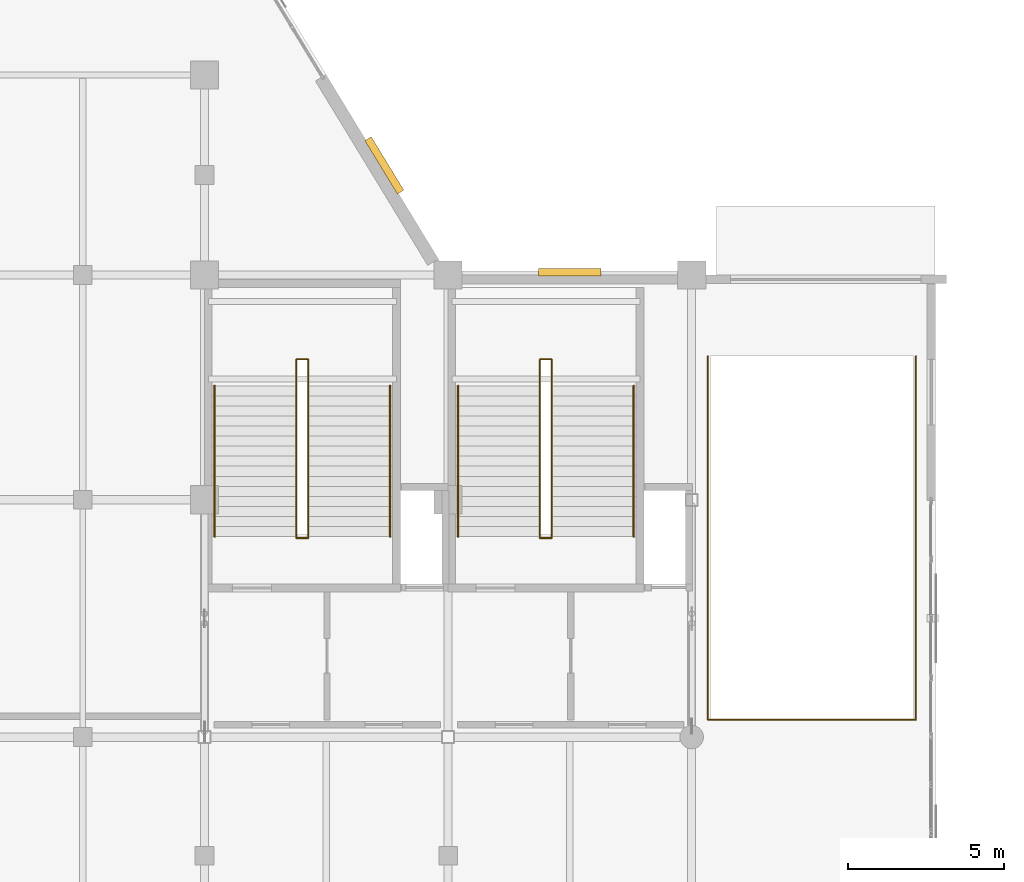
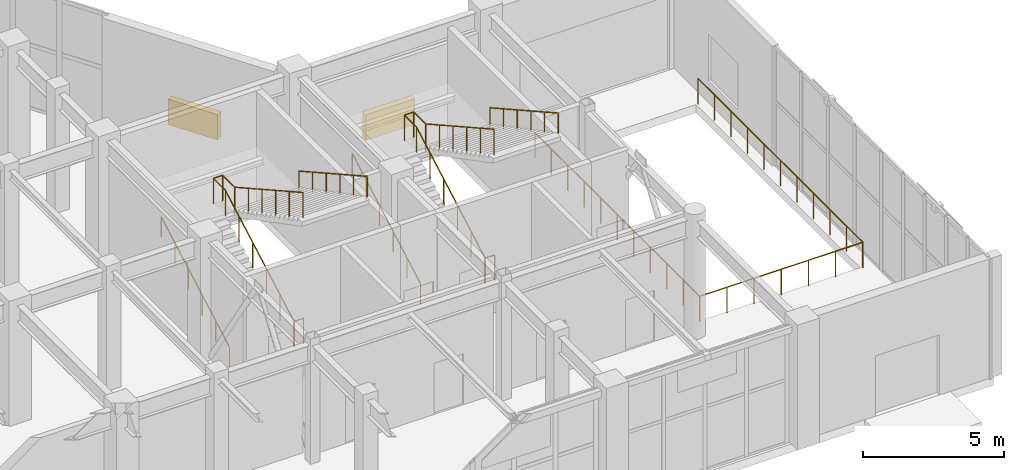
# One storey, part 139 of 139: 9 railings, 2 shading devices.
"""IFC4 building model written with IfcOpenShell, lengths in metres."""

from ifc_helpers import new_model, si_unit, direction, frame, origin, origin_2d, place, context, subcontext, project, spatial, rectangle, circle, extrude, material, type_object, element, save


model = new_model("IFC4")

# Units and contexts
model_context = context("Model", 3, precision=1e-05, world=origin(), true_north=direction((0.0, 1.0)))
body_context = subcontext(model_context, "Body", "Model", "MODEL_VIEW")
ifc_project = project(units=[si_unit("LENGTHUNIT", "METRE"), si_unit("AREAUNIT", "SQUARE_METRE"), si_unit("VOLUMEUNIT", "CUBIC_METRE"), si_unit("PLANEANGLEUNIT", "RADIAN"), si_unit("MASSUNIT", "GRAM", prefix="KILO")], contexts=[model_context])

# Site, building, storey
site_placement = place(None, origin())
site = spatial("IfcSite", under=ifc_project, at=site_placement, CompositionType="ELEMENT")
building_placement = place(site_placement, origin())
building = spatial("IfcBuilding", under=site, at=building_placement, Name="Xicomal Pleat Aquarium", CompositionType="ELEMENT")
storey_placement = place(building_placement, origin())
storey = spatial("IfcBuildingStorey", under=building, at=storey_placement, Name="L01", CompositionType="ELEMENT", Elevation=0.0)

# Railings
ifc_material_1 = material(Name="Brushed stainless steel 316L", Category="steel")
railing_type_1 = type_object("IfcRailingType", Name="RAL-HR-900", PredefinedType="HANDRAIL", material=ifc_material_1)
railing_1_placement = place(storey_placement, frame((141.919921875, 90.02001953125, 0.0)))
element("IfcRailing", 1, at=railing_1_placement, inside=storey, type_object=railing_type_1, Name="ST-05-L01 flight 1 handrail", PredefinedType="HANDRAIL", context=body_context, shape_type="SweptSolid", body=[
    extrude(circle(Radius=0.02392578125, at=origin_2d()), frame((0.0, 0.0, 0.8759765625), z_axis=(0.0, 0.872882689512, 0.487930128554), x_axis=(-1.0, 0.0, 0.0)), (0.0, 0.0, 1.0), 5.533447265625),
    extrude(circle(Radius=0.02099609375, at=origin_2d()), origin(), (0.0, 0.0, 1.0), 0.851806640625),
    extrude(circle(Radius=0.02099609375, at=origin_2d()), frame((0.0, 0.966064453125, 0.5400390625)), (0.0, 0.0, 1.0), 0.851806640625),
    extrude(circle(Radius=0.02099609375, at=origin_2d()), frame((0.0, 1.93212890625, 1.080078125)), (0.0, 0.0, 1.0), 0.851806640625),
    extrude(circle(Radius=0.02099609375, at=origin_2d()), frame((0.0, 2.89794921875, 1.619873046875)), (0.0, 0.0, 1.0), 0.851806640625),
    extrude(circle(Radius=0.02099609375, at=origin_2d()), frame((0.0, 3.864013671875, 2.159912109375)), (0.0, 0.0, 1.0), 0.851806640625),
    extrude(circle(Radius=0.02099609375, at=origin_2d()), frame((0.0, 4.830078125, 2.699951171875)), (0.0, 0.0, 1.0), 0.851806640625),
])
railing_2_placement = place(storey_placement, frame((147.5400390625, 94.85009765625, 2.699951171875)))
element("IfcRailing", 2, at=railing_2_placement, inside=storey, type_object=railing_type_1, Name="ST-05-L01 flight 2 handrail", PredefinedType="HANDRAIL", context=body_context, shape_type="SweptSolid", body=[
    extrude(circle(Radius=0.02392578125, at=origin_2d()), frame((0.0, 0.0, 0.8759765625), z_axis=(0.0, -0.872882689512, 0.487930128554), x_axis=(1.0, 0.0, 0.0)), (0.0, 0.0, 1.0), 5.533447265625),
    extrude(circle(Radius=0.02099609375, at=origin_2d()), origin(), (0.0, 0.0, 1.0), 0.851806640625),
    extrude(circle(Radius=0.02099609375, at=origin_2d()), frame((0.0, -0.966064453125, 0.5400390625)), (0.0, 0.0, 1.0), 0.851806640625),
    extrude(circle(Radius=0.02099609375, at=origin_2d()), frame((0.0, -1.93212890625, 1.080078125)), (0.0, 0.0, 1.0), 0.851806640625),
    extrude(circle(Radius=0.02099609375, at=origin_2d()), frame((0.0, -2.89794921875, 1.619873046875)), (0.0, 0.0, 1.0), 0.851806640625),
    extrude(circle(Radius=0.02099609375, at=origin_2d()), frame((0.0, -3.864013671875, 2.159912109375)), (0.0, 0.0, 1.0), 0.851806640625),
    extrude(circle(Radius=0.02099609375, at=origin_2d()), frame((0.0, -4.830078125, 2.699951171875)), (0.0, 0.0, 1.0), 0.851806640625),
])
railing_3_placement = place(storey_placement, frame((149.719970703125, 90.02001953125, 0.0)))
element("IfcRailing", 3, at=railing_3_placement, inside=storey, type_object=railing_type_1, Name="ST-06-L01 flight 1 handrail", PredefinedType="HANDRAIL", context=body_context, shape_type="SweptSolid", body=[
    extrude(circle(Radius=0.02392578125, at=origin_2d()), frame((0.0, 0.0, 0.8759765625), z_axis=(0.0, 0.872882689512, 0.487930128554), x_axis=(-1.0, 0.0, 0.0)), (0.0, 0.0, 1.0), 5.533447265625),
    extrude(circle(Radius=0.02099609375, at=origin_2d()), origin(), (0.0, 0.0, 1.0), 0.851806640625),
    extrude(circle(Radius=0.02099609375, at=origin_2d()), frame((0.0, 0.966064453125, 0.5400390625)), (0.0, 0.0, 1.0), 0.851806640625),
    extrude(circle(Radius=0.02099609375, at=origin_2d()), frame((0.0, 1.93212890625, 1.080078125)), (0.0, 0.0, 1.0), 0.851806640625),
    extrude(circle(Radius=0.02099609375, at=origin_2d()), frame((0.0, 2.89794921875, 1.619873046875)), (0.0, 0.0, 1.0), 0.851806640625),
    extrude(circle(Radius=0.02099609375, at=origin_2d()), frame((0.0, 3.864013671875, 2.159912109375)), (0.0, 0.0, 1.0), 0.851806640625),
    extrude(circle(Radius=0.02099609375, at=origin_2d()), frame((0.0, 4.830078125, 2.699951171875)), (0.0, 0.0, 1.0), 0.851806640625),
])
railing_4_placement = place(storey_placement, frame((155.340087890625, 94.85009765625, 2.699951171875)))
element("IfcRailing", 4, at=railing_4_placement, inside=storey, type_object=railing_type_1, Name="ST-06-L01 flight 2 handrail", PredefinedType="HANDRAIL", context=body_context, shape_type="SweptSolid", body=[
    extrude(circle(Radius=0.02392578125, at=origin_2d()), frame((0.0, 0.0, 0.8759765625), z_axis=(0.0, -0.872882689512, 0.487930128554), x_axis=(1.0, 0.0, 0.0)), (0.0, 0.0, 1.0), 5.533447265625),
    extrude(circle(Radius=0.02099609375, at=origin_2d()), origin(), (0.0, 0.0, 1.0), 0.851806640625),
    extrude(circle(Radius=0.02099609375, at=origin_2d()), frame((0.0, -0.966064453125, 0.5400390625)), (0.0, 0.0, 1.0), 0.851806640625),
    extrude(circle(Radius=0.02099609375, at=origin_2d()), frame((0.0, -1.93212890625, 1.080078125)), (0.0, 0.0, 1.0), 0.851806640625),
    extrude(circle(Radius=0.02099609375, at=origin_2d()), frame((0.0, -2.89794921875, 1.619873046875)), (0.0, 0.0, 1.0), 0.851806640625),
    extrude(circle(Radius=0.02099609375, at=origin_2d()), frame((0.0, -3.864013671875, 2.159912109375)), (0.0, 0.0, 1.0), 0.851806640625),
    extrude(circle(Radius=0.02099609375, at=origin_2d()), frame((0.0, -4.830078125, 2.699951171875)), (0.0, 0.0, 1.0), 0.851806640625),
])
ifc_material_2 = material(Name="Brushed stainless steel 316L", Category="steel")
railing_type_2 = type_object("IfcRailingType", Name="RAL-STG-1120", PredefinedType="GUARDRAIL", material=ifc_material_2)
railing_5_placement = place(storey_placement, frame((144.5400390625, 90.02001953125, 0.0)))
element("IfcRailing", 5, at=railing_5_placement, inside=storey, type_object=railing_type_2, Name="ST-05-L01 inner well guard", PredefinedType="GUARDRAIL", context=body_context, shape_type="SweptSolid", body=[
    extrude(circle(Radius=0.02392578125, at=origin_2d()), frame((0.0, 0.0, 1.09619140625), z_axis=(0.0, 0.872882689512, 0.487930128554), x_axis=(-1.0, 0.0, 0.0)), (0.0, 0.0, 1.0), 5.533447265625),
    extrude(circle(Radius=0.02392578125, at=origin_2d()), frame((0.0, 4.830078125, 3.7958984375), z_axis=(0.0, 1.0, 0.0), x_axis=(-1.0, 0.0, 0.0)), (0.0, 0.0, 1.0), 0.849853515625),
    extrude(circle(Radius=0.02392578125, at=origin_2d()), frame((0.0, 5.679931640625, 3.7958984375), z_axis=(1.0, 0.0, 0.0), x_axis=(0.0, 1.0, 0.0)), (0.0, 0.0, 1.0), 0.3798828125),
    extrude(circle(Radius=0.02392578125, at=origin_2d()), frame((0.3798828125, 5.679931640625, 3.7958984375), z_axis=(0.0, -1.0, 0.0), x_axis=(1.0, 0.0, 0.0)), (0.0, 0.0, 1.0), 0.849853515625),
    extrude(circle(Radius=0.02392578125, at=origin_2d()), frame((0.3798828125, 4.830078125, 3.7958984375), z_axis=(0.0, -0.872882689512, 0.487930128554), x_axis=(1.0, 0.0, 0.0)), (0.0, 0.0, 1.0), 5.533447265625),
    extrude(circle(Radius=0.02099609375, at=origin_2d()), origin(), (0.0, 0.0, 1.0), 1.072021484375),
    extrude(circle(Radius=0.02099609375, at=origin_2d()), frame((0.0, 0.966064453125, 0.5400390625)), (0.0, 0.0, 1.0), 1.072021484375),
    extrude(circle(Radius=0.02099609375, at=origin_2d()), frame((0.0, 1.93212890625, 1.080078125)), (0.0, 0.0, 1.0), 1.072021484375),
    extrude(circle(Radius=0.02099609375, at=origin_2d()), frame((0.0, 2.89794921875, 1.619873046875)), (0.0, 0.0, 1.0), 1.072021484375),
    extrude(circle(Radius=0.02099609375, at=origin_2d()), frame((0.0, 3.864013671875, 2.159912109375)), (0.0, 0.0, 1.0), 1.072021484375),
    extrude(circle(Radius=0.02099609375, at=origin_2d()), frame((0.0, 4.830078125, 2.699951171875)), (0.0, 0.0, 1.0), 1.072021484375),
    extrude(circle(Radius=0.02099609375, at=origin_2d()), frame((0.0, 5.679931640625, 2.699951171875)), (0.0, 0.0, 1.0), 1.072021484375),
    extrude(circle(Radius=0.02099609375, at=origin_2d()), frame((0.3798828125, 5.679931640625, 2.699951171875)), (0.0, 0.0, 1.0), 1.072021484375),
    extrude(circle(Radius=0.02099609375, at=origin_2d()), frame((0.3798828125, 4.830078125, 2.699951171875)), (0.0, 0.0, 1.0), 1.072021484375),
    extrude(circle(Radius=0.02099609375, at=origin_2d()), frame((0.3798828125, 3.864013671875, 3.239990234375)), (0.0, 0.0, 1.0), 1.072021484375),
    extrude(circle(Radius=0.02099609375, at=origin_2d()), frame((0.3798828125, 2.89794921875, 3.780029296875)), (0.0, 0.0, 1.0), 1.072021484375),
    extrude(circle(Radius=0.02099609375, at=origin_2d()), frame((0.3798828125, 1.93212890625, 4.31982421875)), (0.0, 0.0, 1.0), 1.072021484375),
    extrude(circle(Radius=0.02099609375, at=origin_2d()), frame((0.3798828125, 0.966064453125, 4.85986328125)), (0.0, 0.0, 1.0), 1.072021484375),
    extrude(circle(Radius=0.02099609375, at=origin_2d()), frame((0.3798828125, 0.0, 5.39990234375)), (0.0, 0.0, 1.0), 1.072021484375),
])
railing_6_placement = place(storey_placement, frame((144.5400390625, 89.97998046875, 0.0)))
element("IfcRailing", 6, at=railing_6_placement, inside=storey, type_object=railing_type_2, Name="ST-05-L01 floor landing slot guard", PredefinedType="GUARDRAIL", context=body_context, shape_type="SweptSolid", body=[
    extrude(circle(Radius=0.02392578125, at=origin_2d()), frame((0.0, 0.0, 1.09619140625), z_axis=(1.0, 0.0, 0.0), x_axis=(0.0, 1.0, 0.0)), (0.0, 0.0, 1.0), 0.3798828125),
    extrude(circle(Radius=0.02099609375, at=origin_2d()), origin(), (0.0, 0.0, 1.0), 1.072021484375),
    extrude(circle(Radius=0.02099609375, at=origin_2d()), frame((0.3798828125, 0.0, 0.0)), (0.0, 0.0, 1.0), 1.072021484375),
])
railing_7_placement = place(storey_placement, frame((152.340087890625, 90.02001953125, 0.0)))
element("IfcRailing", 7, at=railing_7_placement, inside=storey, type_object=railing_type_2, Name="ST-06-L01 inner well guard", PredefinedType="GUARDRAIL", context=body_context, shape_type="SweptSolid", body=[
    extrude(circle(Radius=0.02392578125, at=origin_2d()), frame((0.0, 0.0, 1.09619140625), z_axis=(0.0, 0.872882689512, 0.487930128554), x_axis=(-1.0, 0.0, 0.0)), (0.0, 0.0, 1.0), 5.533447265625),
    extrude(circle(Radius=0.02392578125, at=origin_2d()), frame((0.0, 4.830078125, 3.7958984375), z_axis=(0.0, 1.0, 0.0), x_axis=(-1.0, 0.0, 0.0)), (0.0, 0.0, 1.0), 0.849853515625),
    extrude(circle(Radius=0.02392578125, at=origin_2d()), frame((0.0, 5.679931640625, 3.7958984375), z_axis=(1.0, 0.0, 0.0), x_axis=(0.0, 1.0, 0.0)), (0.0, 0.0, 1.0), 0.3798828125),
    extrude(circle(Radius=0.02392578125, at=origin_2d()), frame((0.3798828125, 5.679931640625, 3.7958984375), z_axis=(0.0, -1.0, 0.0), x_axis=(1.0, 0.0, 0.0)), (0.0, 0.0, 1.0), 0.849853515625),
    extrude(circle(Radius=0.02392578125, at=origin_2d()), frame((0.3798828125, 4.830078125, 3.7958984375), z_axis=(0.0, -0.872882689512, 0.487930128554), x_axis=(1.0, 0.0, 0.0)), (0.0, 0.0, 1.0), 5.533447265625),
    extrude(circle(Radius=0.02099609375, at=origin_2d()), origin(), (0.0, 0.0, 1.0), 1.072021484375),
    extrude(circle(Radius=0.02099609375, at=origin_2d()), frame((0.0, 0.966064453125, 0.5400390625)), (0.0, 0.0, 1.0), 1.072021484375),
    extrude(circle(Radius=0.02099609375, at=origin_2d()), frame((0.0, 1.93212890625, 1.080078125)), (0.0, 0.0, 1.0), 1.072021484375),
    extrude(circle(Radius=0.02099609375, at=origin_2d()), frame((0.0, 2.89794921875, 1.619873046875)), (0.0, 0.0, 1.0), 1.072021484375),
    extrude(circle(Radius=0.02099609375, at=origin_2d()), frame((0.0, 3.864013671875, 2.159912109375)), (0.0, 0.0, 1.0), 1.072021484375),
    extrude(circle(Radius=0.02099609375, at=origin_2d()), frame((0.0, 4.830078125, 2.699951171875)), (0.0, 0.0, 1.0), 1.072021484375),
    extrude(circle(Radius=0.02099609375, at=origin_2d()), frame((0.0, 5.679931640625, 2.699951171875)), (0.0, 0.0, 1.0), 1.072021484375),
    extrude(circle(Radius=0.02099609375, at=origin_2d()), frame((0.3798828125, 5.679931640625, 2.699951171875)), (0.0, 0.0, 1.0), 1.072021484375),
    extrude(circle(Radius=0.02099609375, at=origin_2d()), frame((0.3798828125, 4.830078125, 2.699951171875)), (0.0, 0.0, 1.0), 1.072021484375),
    extrude(circle(Radius=0.02099609375, at=origin_2d()), frame((0.3798828125, 3.864013671875, 3.239990234375)), (0.0, 0.0, 1.0), 1.072021484375),
    extrude(circle(Radius=0.02099609375, at=origin_2d()), frame((0.3798828125, 2.89794921875, 3.780029296875)), (0.0, 0.0, 1.0), 1.072021484375),
    extrude(circle(Radius=0.02099609375, at=origin_2d()), frame((0.3798828125, 1.93212890625, 4.31982421875)), (0.0, 0.0, 1.0), 1.072021484375),
    extrude(circle(Radius=0.02099609375, at=origin_2d()), frame((0.3798828125, 0.966064453125, 4.85986328125)), (0.0, 0.0, 1.0), 1.072021484375),
    extrude(circle(Radius=0.02099609375, at=origin_2d()), frame((0.3798828125, 0.0, 5.39990234375)), (0.0, 0.0, 1.0), 1.072021484375),
])
railing_8_placement = place(storey_placement, frame((152.340087890625, 89.97998046875, 0.0)))
element("IfcRailing", 8, at=railing_8_placement, inside=storey, type_object=railing_type_2, Name="ST-06-L01 floor landing slot guard", PredefinedType="GUARDRAIL", context=body_context, shape_type="SweptSolid", body=[
    extrude(circle(Radius=0.02392578125, at=origin_2d()), frame((0.0, 0.0, 1.09619140625), z_axis=(1.0, 0.0, 0.0), x_axis=(0.0, 1.0, 0.0)), (0.0, 0.0, 1.0), 0.3798828125),
    extrude(circle(Radius=0.02099609375, at=origin_2d()), origin(), (0.0, 0.0, 1.0), 1.072021484375),
    extrude(circle(Radius=0.02099609375, at=origin_2d()), frame((0.3798828125, 0.0, 0.0)), (0.0, 0.0, 1.0), 1.072021484375),
])
railing_9_placement = place(storey_placement, frame((157.719970703125, 95.800048828125, 0.0)))
element("IfcRailing", 9, at=railing_9_placement, inside=storey, type_object=railing_type_2, Name="L01 vehicle ramp well perimeter guard", PredefinedType="GUARDRAIL", context=body_context, shape_type="SweptSolid", body=[
    extrude(circle(Radius=0.02392578125, at=origin_2d()), frame((0.0, 0.0, 1.09619140625), z_axis=(0.0, -1.0, 0.0), x_axis=(1.0, 0.0, 0.0)), (0.0, 0.0, 1.0), 11.650146484375),
    extrude(circle(Radius=0.02392578125, at=origin_2d()), frame((0.0, -11.650146484375, 1.09619140625), z_axis=(1.0, 0.0, 0.0), x_axis=(0.0, 1.0, 0.0)), (0.0, 0.0, 1.0), 6.659912109375),
    extrude(circle(Radius=0.02392578125, at=origin_2d()), frame((6.659912109375, -11.650146484375, 1.09619140625), z_axis=(0.0, 1.0, 0.0), x_axis=(-1.0, 0.0, 0.0)), (0.0, 0.0, 1.0), 11.650146484375),
    extrude(circle(Radius=0.02099609375, at=origin_2d()), origin(), (0.0, 0.0, 1.0), 1.072021484375),
    extrude(circle(Radius=0.02099609375, at=origin_2d()), frame((0.0, -1.1650390625, 0.0)), (0.0, 0.0, 1.0), 1.072021484375),
    extrude(circle(Radius=0.02099609375, at=origin_2d()), frame((0.0, -2.330078125, 0.0)), (0.0, 0.0, 1.0), 1.072021484375),
    extrude(circle(Radius=0.02099609375, at=origin_2d()), frame((0.0, -3.4951171875, 0.0)), (0.0, 0.0, 1.0), 1.072021484375),
    extrude(circle(Radius=0.02099609375, at=origin_2d()), frame((0.0, -4.66015625, 0.0)), (0.0, 0.0, 1.0), 1.072021484375),
    extrude(circle(Radius=0.02099609375, at=origin_2d()), frame((0.0, -5.8251953125, 0.0)), (0.0, 0.0, 1.0), 1.072021484375),
    extrude(circle(Radius=0.02099609375, at=origin_2d()), frame((0.0, -6.989990234375, 0.0)), (0.0, 0.0, 1.0), 1.072021484375),
    extrude(circle(Radius=0.02099609375, at=origin_2d()), frame((0.0, -8.155029296875, 0.0)), (0.0, 0.0, 1.0), 1.072021484375),
    extrude(circle(Radius=0.02099609375, at=origin_2d()), frame((0.0, -9.320068359375, 0.0)), (0.0, 0.0, 1.0), 1.072021484375),
    extrude(circle(Radius=0.02099609375, at=origin_2d()), frame((0.0, -10.485107421875, 0.0)), (0.0, 0.0, 1.0), 1.072021484375),
    extrude(circle(Radius=0.02099609375, at=origin_2d()), frame((0.0, -11.650146484375, 0.0)), (0.0, 0.0, 1.0), 1.072021484375),
    extrude(circle(Radius=0.02099609375, at=origin_2d()), frame((1.10986328125, -11.650146484375, 0.0)), (0.0, 0.0, 1.0), 1.072021484375),
    extrude(circle(Radius=0.02099609375, at=origin_2d()), frame((2.219970703125, -11.650146484375, 0.0)), (0.0, 0.0, 1.0), 1.072021484375),
    extrude(circle(Radius=0.02099609375, at=origin_2d()), frame((3.330078125, -11.650146484375, 0.0)), (0.0, 0.0, 1.0), 1.072021484375),
    extrude(circle(Radius=0.02099609375, at=origin_2d()), frame((4.43994140625, -11.650146484375, 0.0)), (0.0, 0.0, 1.0), 1.072021484375),
    extrude(circle(Radius=0.02099609375, at=origin_2d()), frame((5.5498046875, -11.650146484375, 0.0)), (0.0, 0.0, 1.0), 1.072021484375),
    extrude(circle(Radius=0.02099609375, at=origin_2d()), frame((6.659912109375, -11.650146484375, 0.0)), (0.0, 0.0, 1.0), 1.072021484375),
    extrude(circle(Radius=0.02099609375, at=origin_2d()), frame((6.659912109375, -10.485107421875, 0.0)), (0.0, 0.0, 1.0), 1.072021484375),
    extrude(circle(Radius=0.02099609375, at=origin_2d()), frame((6.659912109375, -9.320068359375, 0.0)), (0.0, 0.0, 1.0), 1.072021484375),
    extrude(circle(Radius=0.02099609375, at=origin_2d()), frame((6.659912109375, -8.155029296875, 0.0)), (0.0, 0.0, 1.0), 1.072021484375),
    extrude(circle(Radius=0.02099609375, at=origin_2d()), frame((6.659912109375, -6.989990234375, 0.0)), (0.0, 0.0, 1.0), 1.072021484375),
    extrude(circle(Radius=0.02099609375, at=origin_2d()), frame((6.659912109375, -5.8251953125, 0.0)), (0.0, 0.0, 1.0), 1.072021484375),
    extrude(circle(Radius=0.02099609375, at=origin_2d()), frame((6.659912109375, -4.66015625, 0.0)), (0.0, 0.0, 1.0), 1.072021484375),
    extrude(circle(Radius=0.02099609375, at=origin_2d()), frame((6.659912109375, -3.4951171875, 0.0)), (0.0, 0.0, 1.0), 1.072021484375),
    extrude(circle(Radius=0.02099609375, at=origin_2d()), frame((6.659912109375, -2.330078125, 0.0)), (0.0, 0.0, 1.0), 1.072021484375),
    extrude(circle(Radius=0.02099609375, at=origin_2d()), frame((6.659912109375, -1.1650390625, 0.0)), (0.0, 0.0, 1.0), 1.072021484375),
    extrude(circle(Radius=0.02099609375, at=origin_2d()), frame((6.659912109375, 0.0, 0.0)), (0.0, 0.0, 1.0), 1.072021484375),
])

# Shading devices
ifc_material_3 = material(Name="Perforated bronze anodized aluminium", Category="aluminium")
shading_device_type = type_object("IfcShadingDeviceType", Name="SHD-LOUV-ALU", PredefinedType="JALOUSIE", material=ifc_material_3)
for number, where, z_axis, x_axis, name in (
    (10, (153.300048828125, 98.47998046875, 1.099853515625), (0.0, 0.0, 1.0), (1.0, 0.0, 0.0), "L01 LSS acoustic weather louvre 12"),
    (11, (147.35595703125, 101.907958984375, 1.099853515625), (0.0, 0.0, 1.0), (0.520413614052, -0.853914322581, 0.0), "L01 LSS acoustic weather louvre 13"),
):
    element("IfcShadingDevice", number, at=place(storey_placement, frame(where, z_axis=z_axis, x_axis=x_axis)), inside=storey, type_object=shading_device_type, Name=name, PredefinedType="JALOUSIE", context=body_context, shape_type="SweptSolid", body=[
        extrude(rectangle(XDim=2.0, YDim=0.239990234375, at=origin_2d()), origin(), (0.0, 0.0, 1.0), 1.10009765625),
    ])

save(model, "model.ifc")
